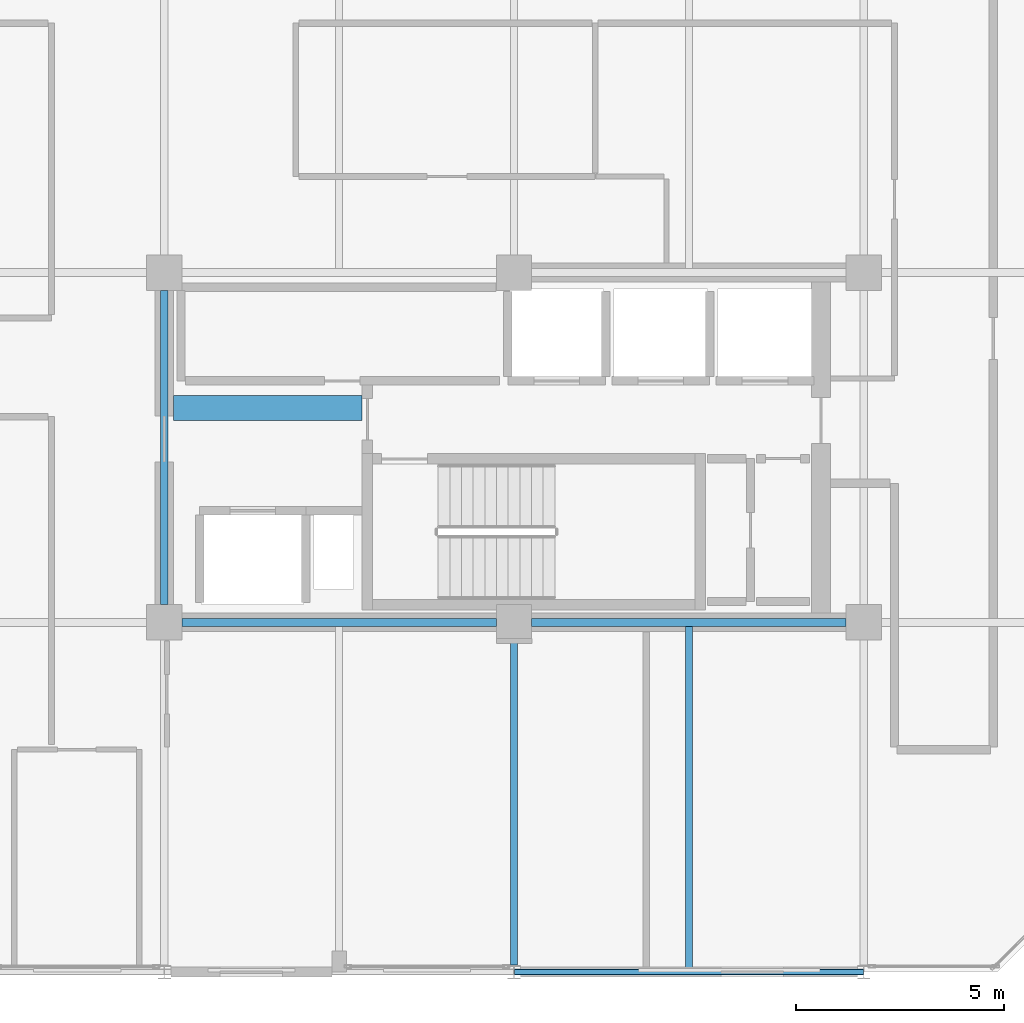
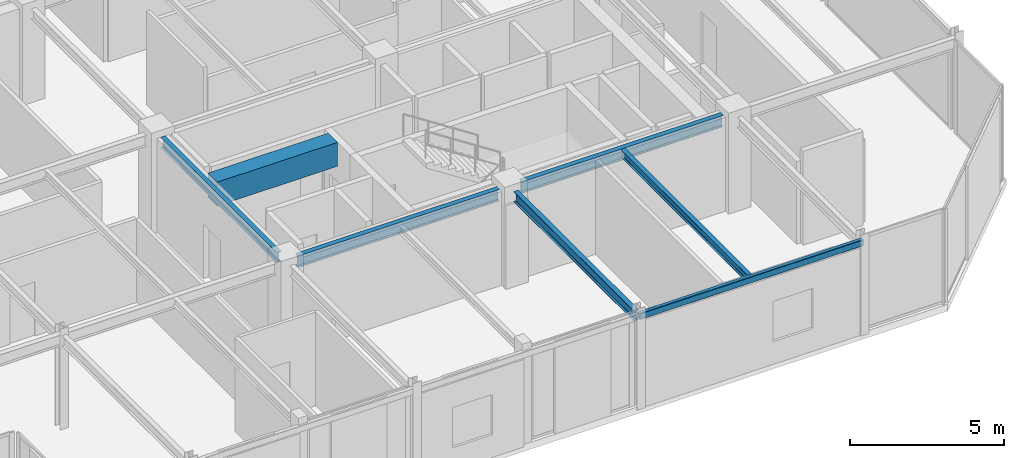
# One storey, part 8 of 26: 7 beams.
"""IFC4 building model written with IfcOpenShell, lengths in metres."""

from ifc_helpers import new_model, si_unit, direction, frame, origin, origin_2d, place, context, subcontext, project, spatial, rectangle, hollow_rectangle, i_section, extrude, material, material_profile, profile_set, type_object, element, save


model = new_model("IFC4")

# Units and contexts
model_context = context("Model", 3, precision=1e-05, world=origin(), true_north=direction((0.0, 1.0)))
body_context = subcontext(model_context, "Body", "Model", "MODEL_VIEW")
ifc_project = project(units=[si_unit("LENGTHUNIT", "METRE"), si_unit("AREAUNIT", "SQUARE_METRE"), si_unit("VOLUMEUNIT", "CUBIC_METRE"), si_unit("PLANEANGLEUNIT", "RADIAN"), si_unit("MASSUNIT", "GRAM", prefix="KILO")], contexts=[model_context])

# Site, building, storey
site_placement = place(None, origin())
site = spatial("IfcSite", under=ifc_project, at=site_placement, CompositionType="ELEMENT")
building_placement = place(site_placement, origin())
building = spatial("IfcBuilding", under=site, at=building_placement, Name="Nerrivon Quay Data Exchange", CompositionType="ELEMENT")
storey_placement = place(building_placement, frame((0.0, 0.0, 262.199951171875)))
storey = spatial("IfcBuildingStorey", under=building, at=storey_placement, Name="L62", CompositionType="ELEMENT", Elevation=262.199951171875)

# Beams
ifc_material_1 = material(Name="Concrete N50 (50 MPa)", Category="concrete")
ifc_material_profile_1 = material_profile(ifc_material_1, rectangle(XDim=0.60009765625, YDim=0.949951171875, at=origin_2d()), Name="RC-CB-600x950")
ifc_profile_set_1 = profile_set([ifc_material_profile_1], Name="Concrete N50 (50 MPa)")
beam_type_1 = type_object("IfcBeamType", Name="BM-CB2-600x950", PredefinedType="LINTEL", material=ifc_profile_set_1)
beam_1_placement = place(storey_placement, frame((17.02490234375, 13.550048828125, 3.25), z_axis=(1.0, 0.0, 0.0), x_axis=(0.0, 1.0, 0.0)))
element("IfcBeam", 1, at=beam_1_placement, inside=storey, type_object=beam_type_1, Name="L62 East Core Coupling Beam", PredefinedType="LINTEL", context=body_context, shape_type="SweptSolid", body=[
    extrude(rectangle(XDim=0.60009765625, YDim=0.949951171875, at=origin_2d()), origin(), (0.0, 0.0, 1.0), 4.530029296875),
])
ifc_material_2 = material(Name="Steel Grade 350", Category="steel")
ifc_material_profile_2 = material_profile(ifc_material_2, i_section(OverallWidth=0.18994140625, OverallDepth=0.4541015625, WebThickness=0.008544921875, FlangeThickness=0.0126953125, FilletRadius=0.011474609375, at=origin_2d()), Name="460UB67.1")
ifc_profile_set_2 = profile_set([ifc_material_profile_2], Name="Steel Grade 350")
beam_type_2 = type_object("IfcBeamType", Name="BM-G6-460UB67", PredefinedType="BEAM", material=ifc_profile_set_2)
beam_2_placement = place(storey_placement, frame((17.22509765625, 8.39990234375, 3.498046875), z_axis=(1.0, 0.0, 0.0), x_axis=(0.0, 1.0, 0.0)))
element("IfcBeam", 2, at=beam_2_placement, inside=storey, type_object=beam_type_2, Name="L62 EW Girder Y=8.4 (16.8..25.2)", PredefinedType="BEAM", context=body_context, shape_type="SweptSolid", body=[
    extrude(i_section(OverallWidth=0.18994140625, OverallDepth=0.4541015625, WebThickness=0.008544921875, FlangeThickness=0.0126953125, FilletRadius=0.011474609375, at=origin_2d()), origin(), (0.0, 0.0, 1.0), 7.5498046875),
])
beam_3_placement = place(storey_placement, frame((25.625, 8.39990234375, 3.498046875), z_axis=(1.0, 0.0, 0.0), x_axis=(0.0, 1.0, 0.0)))
element("IfcBeam", 3, at=beam_3_placement, inside=storey, type_object=beam_type_2, Name="L62 EW Girder Y=8.4 (25.2..33.6)", PredefinedType="BEAM", context=body_context, shape_type="SweptSolid", body=[
    extrude(i_section(OverallWidth=0.18994140625, OverallDepth=0.4541015625, WebThickness=0.008544921875, FlangeThickness=0.0126953125, FilletRadius=0.011474609375, at=origin_2d()), origin(), (0.0, 0.0, 1.0), 7.550048828125),
])
ifc_material_profile_3 = material_profile(ifc_material_2, i_section(OverallWidth=0.177978515625, OverallDepth=0.406005859375, WebThickness=0.0078125, FlangeThickness=0.0126953125, FilletRadius=0.011474609375, at=origin_2d()), Name="410UB59.7")
ifc_profile_set_3 = profile_set([ifc_material_profile_3], Name="Steel Grade 350")
beam_type_3 = type_object("IfcBeamType", Name="BM-J1-410UB60", PredefinedType="JOIST", material=ifc_profile_set_3)
beam_4_placement = place(storey_placement, frame((16.800048828125, 8.824951171875, 3.52197265625), z_axis=(0.0, 1.0, 0.0), x_axis=(-1.0, 0.0, 0.0)))
element("IfcBeam", 4, at=beam_4_placement, inside=storey, type_object=beam_type_3, Name="L62 NS Girder X=16.8 (8.4..16.8)", PredefinedType="JOIST", context=body_context, shape_type="SweptSolid", body=[
    extrude(i_section(OverallWidth=0.177978515625, OverallDepth=0.406005859375, WebThickness=0.0078125, FlangeThickness=0.0126953125, FilletRadius=0.011474609375, at=origin_2d()), origin(), (0.0, 0.0, 1.0), 7.550048828125),
])
beam_5_placement = place(storey_placement, frame((25.199951171875, 0.16357421875, 3.52197265625), z_axis=(0.0, 1.0, 0.0), x_axis=(-1.0, 0.0, 0.0)))
element("IfcBeam", 5, at=beam_5_placement, inside=storey, type_object=beam_type_3, Name="L62 NS Girder X=25.2 (0.0..8.4)", PredefinedType="JOIST", context=body_context, shape_type="SweptSolid", body=[
    extrude(i_section(OverallWidth=0.177978515625, OverallDepth=0.406005859375, WebThickness=0.0078125, FlangeThickness=0.0126953125, FilletRadius=0.011474609375, at=origin_2d()), origin(), (0.0, 0.0, 1.0), 7.8115234375),
])
ifc_material_profile_4 = material_profile(ifc_material_2, i_section(OverallWidth=0.1650390625, OverallDepth=0.303955078125, WebThickness=0.006103515625, FlangeThickness=0.01025390625, FilletRadius=0.011474609375, at=origin_2d()), Name="310UB40.4")
ifc_profile_set_4 = profile_set([ifc_material_profile_4], Name="Steel Grade 350")
beam_type_4 = type_object("IfcBeamType", Name="BM-J6-310UB40", PredefinedType="JOIST", material=ifc_profile_set_4)
beam_6_placement = place(storey_placement, frame((29.39990234375, 0.074951171875, 3.572998046875), z_axis=(0.0, 1.0, 0.0), x_axis=(-1.0, 0.0, 0.0)))
element("IfcBeam", 6, at=beam_6_placement, inside=storey, type_object=beam_type_4, Name="L62 Secondary Joist X=29.4 (0.0..8.4)", PredefinedType="JOIST", context=body_context, shape_type="SweptSolid", body=[
    extrude(i_section(OverallWidth=0.1650390625, OverallDepth=0.303955078125, WebThickness=0.006103515625, FlangeThickness=0.01025390625, FilletRadius=0.011474609375, at=origin_2d()), origin(), (0.0, 0.0, 1.0), 8.22998046875),
])
ifc_material_3 = material(Name="Steel Grade C350L0 (350 MPa)", Category="steel")
ifc_material_profile_5 = material_profile(ifc_material_3, hollow_rectangle(XDim=0.14990234375, YDim=0.25, WallThickness=0.009033203125, InnerFilletRadius=0.013427734375, OuterFilletRadius=0.0224609375, at=origin_2d()), Name="250x150x9.0RHS")
ifc_profile_set_5 = profile_set([ifc_material_profile_5], Name="Steel Grade C350L0 (350 MPa)")
beam_type_5 = type_object("IfcBeamType", Name="BM-SP4-250x150RHS", PredefinedType="SPANDREL", material=ifc_profile_set_5)
beam_7_placement = place(storey_placement, frame((25.2080078125, 0.0, 3.60009765625), z_axis=(1.0, 0.0, 0.0), x_axis=(0.0, 1.0, 0.0)))
element("IfcBeam", 7, at=beam_7_placement, inside=storey, type_object=beam_type_5, Name="L62 EW Girder Y=0.0 (25.2..33.6)", PredefinedType="SPANDREL", context=body_context, shape_type="SweptSolid", body=[
    extrude(hollow_rectangle(XDim=0.14990234375, YDim=0.25, WallThickness=0.009033203125, InnerFilletRadius=0.013427734375, OuterFilletRadius=0.0224609375, at=origin_2d()), origin(), (0.0, 0.0, 1.0), 8.38427734375),
])

save(model, "model.ifc")
